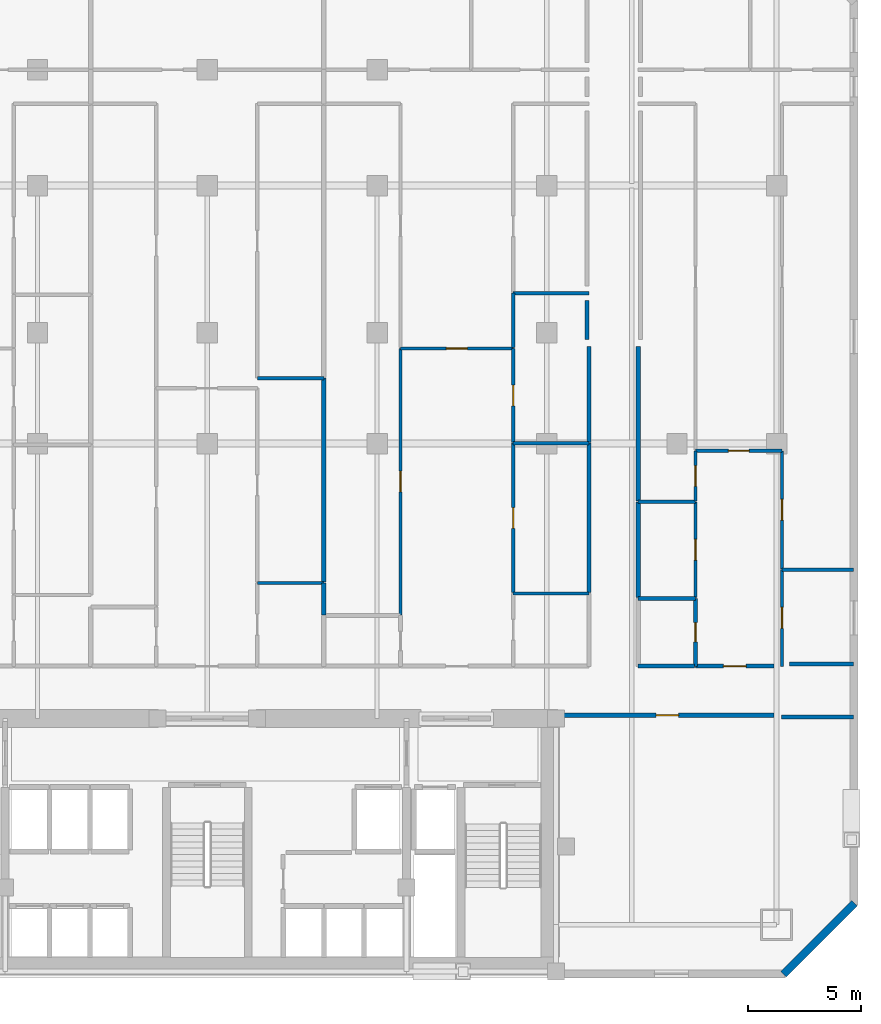
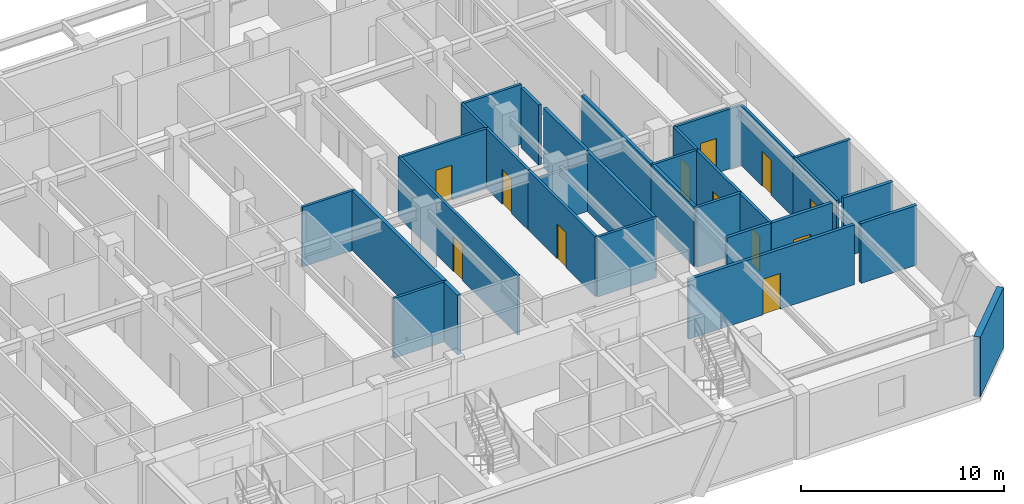
# One storey, part 6 of 10: 32 walls, 12 doors, 12 openings.
"""IFC4 building model written with IfcOpenShell, lengths in metres."""

from ifc_helpers import new_model, si_unit, direction, frame, frame_2d, origin, place, context, subcontext, project, spatial, rectangle, extrude, material, layer, layer_set, type_object, element, fill, save


model = new_model("IFC4")

# Units and contexts
model_context = context("Model", 3, precision=1e-05, world=origin(), true_north=direction((0.0, 1.0)))
body_context = subcontext(model_context, "Body", "Model", "MODEL_VIEW")
ifc_project = project(units=[si_unit("LENGTHUNIT", "METRE"), si_unit("AREAUNIT", "SQUARE_METRE"), si_unit("VOLUMEUNIT", "CUBIC_METRE"), si_unit("PLANEANGLEUNIT", "RADIAN"), si_unit("MASSUNIT", "GRAM", prefix="KILO")], contexts=[model_context])

# Site, building, storey
site_placement = place(None, origin())
site = spatial("IfcSite", under=ifc_project, at=site_placement, CompositionType="ELEMENT")
building_placement = place(site_placement, origin())
building = spatial("IfcBuilding", under=site, at=building_placement, Name="Ventersveld Concourse Tower", CompositionType="ELEMENT")
storey_placement = place(building_placement, frame((0.0, 0.0, 49.050048828125)))
storey = spatial("IfcBuildingStorey", under=building, at=storey_placement, Name="L11", CompositionType="ELEMENT", Elevation=49.050048828125)

# Wall, opening, door
ifc_material_1 = material(Name="Fire-rated autoclaved aerated masonry blockwork", Category="masonry")
ifc_layer_1 = layer(ifc_material_1, 0.179931640625)
ifc_layer_set_1 = layer_set([ifc_layer_1], Name="Fire-rated autoclaved aerated masonry blockwork")
wall_type_1 = type_object("IfcWallType", Name="WL-CORR-180", PredefinedType="PARTITIONING", material=ifc_layer_set_1)
wall_1_placement = place(storey_placement, frame((44.35498046875, 11.60009765625, 0.0), z_axis=(0.0, 0.0, 1.0), x_axis=(1.0, 0.0, 0.0)))
wall_1 = element("IfcWall", 1, at=wall_1_placement, inside=storey, type_object=wall_type_1, Name="L11 Interior Partition SP-L11-SE-OFF-SP-L11-COR", PredefinedType="PARTITIONING", context=body_context, shape_type="SweptSolid", body=[
    extrude(rectangle(XDim=9.43994140625, YDim=0.179931640625, at=frame_2d((4.719970703125, 0.0))), origin(), (0.0, 0.0, 1.0), 3.599853515625),
])
opening_1_placement = place(wall_1_placement, frame((4.219970703125, 0.0, 0.0)))
opening_1 = element("IfcOpeningElement", 2, at=opening_1_placement, cuts=wall_1, Name="Opening FD3", PredefinedType="OPENING", context=body_context, shape_type="SweptSolid", body=[
    extrude(rectangle(XDim=1.0, YDim=2.14990234375, at=frame_2d((0.5, 1.074951171875))), frame((0.0, 0.10009765625, 0.0), z_axis=(0.0, -1.0, 0.0), x_axis=(1.0, 0.0, 0.0)), (0.0, 0.0, 1.0), 0.199951171875),
])
ifc_material_2 = material(Name="Solid-core hardwood veneer timber", Category="wood")
door_type_1 = type_object("IfcDoorType", Name="DR-FLAT-100", OperationType="NOTDEFINED", PredefinedType="DOOR", material=ifc_material_2)
door_1_placement = place(opening_1_placement, origin())
door_1 = element("IfcDoor", 3, at=door_1_placement, inside=storey, type_object=door_type_1, Name="L11 Interior Door SP-L11-SE-OFF to SP-L11-COR (D-L11-0421)", OperationType="SINGLE_SWING_LEFT", OverallHeight=2.14990234375, OverallWidth=1.0, PredefinedType="DOOR", context=body_context, shape_type="SweptSolid", body=[
    extrude(rectangle(XDim=1.0, YDim=2.14990234375, at=frame_2d((0.5, 1.074951171875))), frame((0.0, 0.02490234375, 0.0), z_axis=(0.0, -1.0, 0.0), x_axis=(1.0, 0.0, 0.0)), (0.0, 0.0, 1.0), 0.050048828125),
])
fill(opening_1, door_1)

wall_2_placement = place(storey_placement, frame((50.31396484375, 13.77001953125, 0.0), z_axis=(0.0, 0.0, 1.0), x_axis=(1.0, 0.0, 0.0)))
wall_2 = element("IfcWall", 4, at=wall_2_placement, inside=storey, type_object=wall_type_1, Name="L11 Interior Partition SP-L11-COR-SP-L11-11NE-FOY", PredefinedType="PARTITIONING", context=body_context, shape_type="SweptSolid", body=[
    extrude(rectangle(XDim=3.48095703125, YDim=0.179931640625, at=frame_2d((1.740478515625, 0.0))), origin(), (0.0, 0.0, 1.0), 3.599853515625),
])
opening_2_placement = place(wall_2_placement, frame((1.240478515625, 0.0, 0.0)))
opening_2 = element("IfcOpeningElement", 5, at=opening_2_placement, cuts=wall_2, Name="Opening FD3", PredefinedType="OPENING", context=body_context, shape_type="SweptSolid", body=[
    extrude(rectangle(XDim=1.0, YDim=2.14990234375, at=frame_2d((0.5, 1.074951171875))), frame((0.0, 0.10009765625, 0.0), z_axis=(0.0, -1.0, 0.0), x_axis=(1.0, 0.0, 0.0)), (0.0, 0.0, 1.0), 0.199951171875),
])
door_2_placement = place(opening_2_placement, origin())
door_2 = element("IfcDoor", 6, at=door_2_placement, inside=storey, type_object=door_type_1, Name="L11 Interior Door SP-L11-COR to SP-L11-11NE-FOY (FD-L11-0423)", OperationType="SINGLE_SWING_LEFT", OverallHeight=2.14990234375, OverallWidth=1.0, PredefinedType="DOOR", context=body_context, shape_type="SweptSolid", body=[
    extrude(rectangle(XDim=1.0, YDim=2.14990234375, at=frame_2d((0.5, 1.074951171875))), frame((0.0, 0.02490234375, 0.0), z_axis=(0.0, -1.0, 0.0), x_axis=(1.0, 0.0, 0.0)), (0.0, 0.0, 1.0), 0.050048828125),
])
fill(opening_2, door_2)

# Walls
wall_3_placement = place(storey_placement, frame((47.784912109375, 13.77001953125, 0.0), z_axis=(0.0, 0.0, 1.0), x_axis=(1.0, 0.0, 0.0)))
element("IfcWall", 7, at=wall_3_placement, inside=storey, type_object=wall_type_1, Name="L11 Interior Partition SP-L11-COR-SP-L11-11NE-BATH", PredefinedType="PARTITIONING", context=body_context, shape_type="SweptSolid", body=[
    extrude(rectangle(XDim=2.4990234375, YDim=0.179931640625, at=frame_2d((1.24951171875, 0.0))), origin(), (0.0, 0.0, 1.0), 3.599853515625),
])
wall_4_placement = place(storey_placement, frame((47.7900390625, 16.794677734375, 0.0), z_axis=(0.0, 0.0, 1.0), x_axis=(0.0, 1.0, 0.0)))
element("IfcWall", 8, at=wall_4_placement, inside=storey, type_object=wall_type_1, Name="L11 Interior Partition SP-L11-COR-SP-L11-11NE-PANL0", PredefinedType="PARTITIONING", context=body_context, shape_type="SweptSolid", body=[
    extrude(rectangle(XDim=4.23681640625, YDim=0.179931640625, at=frame_2d((2.118408203125, 0.0))), origin(), (0.0, 0.0, 1.0), 3.599853515625),
])
wall_5_placement = place(storey_placement, frame((47.7900390625, 21.0615234375, 0.0), z_axis=(0.0, 0.0, 1.0), x_axis=(0.0, 1.0, 0.0)))
element("IfcWall", 9, at=wall_5_placement, inside=storey, type_object=wall_type_1, Name="L11 Interior Partition SP-L11-COR-SP-L11-11NE-DENL", PredefinedType="PARTITIONING", context=body_context, shape_type="SweptSolid", body=[
    extrude(rectangle(XDim=6.83349609375, YDim=0.179931640625, at=frame_2d((3.416748046875, 0.0))), origin(), (0.0, 0.0, 1.0), 3.599853515625),
])
wall_6_placement = place(storey_placement, frame((45.610107421875, 17.01708984375, 0.0), z_axis=(0.0, 0.0, 1.0), x_axis=(0.0, 1.0, 0.0)))
element("IfcWall", 10, at=wall_6_placement, inside=storey, type_object=wall_type_1, Name="L11 Interior Partition SP-L11-COR-SP-L11-11CE-DENR", PredefinedType="PARTITIONING", context=body_context, shape_type="SweptSolid", body=[
    extrude(rectangle(XDim=6.60302734375, YDim=0.179931640625, at=frame_2d((3.301513671875, 0.0))), origin(), (0.0, 0.0, 1.0), 3.599853515625),
])
wall_7_placement = place(storey_placement, frame((45.610107421875, 23.650146484375, 0.0), z_axis=(0.0, 0.0, 1.0), x_axis=(0.0, 1.0, 0.0)))
element("IfcWall", 11, at=wall_7_placement, inside=storey, type_object=wall_type_1, Name="L11 Interior Partition SP-L11-COR-SP-L11-11CE-DENS", PredefinedType="PARTITIONING", context=body_context, shape_type="SweptSolid", body=[
    extrude(rectangle(XDim=4.244873046875, YDim=0.179931640625, at=frame_2d((2.12255859375, 0.0))), origin(), (0.0, 0.0, 1.0), 3.599853515625),
])
wall_8_placement = place(storey_placement, frame((54.1123046875, 11.52001953125, 0.0), z_axis=(0.0, 0.0, 1.0), x_axis=(1.0, 0.0, 0.0)))
element("IfcWall", 12, at=wall_8_placement, inside=storey, type_object=wall_type_1, Name="L11 Room Enclosure Wall SP-L11-SE-OFF", PredefinedType="PARTITIONING", context=body_context, shape_type="SweptSolid", body=[
    extrude(rectangle(XDim=3.177734375, YDim=0.179931640625, at=frame_2d((1.5888671875, 0.0))), origin(), (0.0, 0.0, 1.0), 3.599853515625),
])
wall_9_placement = place(storey_placement, frame((57.2900390625, 13.860107421875, 0.0), z_axis=(0.0, 0.0, 1.0), x_axis=(-1.0, 0.0, 0.0)))
element("IfcWall", 13, at=wall_9_placement, inside=storey, type_object=wall_type_1, Name="L11 Room Enclosure Wall SP-L11-11NE-KIT", PredefinedType="PARTITIONING", context=body_context, shape_type="SweptSolid", body=[
    extrude(rectangle(XDim=2.823974609375, YDim=0.179931640625, at=frame_2d((1.412109375, 0.0))), origin(), (0.0, 0.0, 1.0), 3.599853515625),
])
wall_10_placement = place(storey_placement, frame((45.52001953125, 29.923095703125, 0.0), z_axis=(0.0, 0.0, 1.0), x_axis=(0.0, -1.0, 0.0)))
element("IfcWall", 14, at=wall_10_placement, inside=storey, type_object=wall_type_1, Name="L11 Room Enclosure Wall SP-L11-11CE-DENS", PredefinedType="PARTITIONING", context=body_context, shape_type="SweptSolid", body=[
    extrude(rectangle(XDim=1.713134765625, YDim=0.179931640625, at=frame_2d((0.8564453125, 0.0))), origin(), (0.0, 0.0, 1.0), 3.599853515625),
])
ifc_layer_2 = layer(ifc_material_1, 0.199951171875)
ifc_layer_set_2 = layer_set([ifc_layer_2], Name="Fire-rated autoclaved aerated masonry blockwork")
wall_type_2 = type_object("IfcWallType", Name="WL-DEMISE-200", PredefinedType="PARTITIONING", material=ifc_layer_set_2)
wall_11_placement = place(storey_placement, frame((33.889892578125, 16.03857421875, 0.0), z_axis=(0.0, 0.0, 1.0), x_axis=(0.0, 1.0, 0.0)))
element("IfcWall", 15, at=wall_11_placement, inside=storey, type_object=wall_type_2, Name="L11 Interior Partition SP-L11-11CE-MEDL0-SP-L11-11CM-KIT", PredefinedType="PARTITIONING", context=body_context, shape_type="SweptSolid", body=[
    extrude(rectangle(XDim=1.409912109375, YDim=0.199951171875, at=frame_2d((0.705078125, 0.0))), origin(), (0.0, 0.0, 1.0), 3.599853515625),
])
wall_12_placement = place(storey_placement, frame((33.889892578125, 17.478515625, 0.0), z_axis=(0.0, 0.0, 1.0), x_axis=(0.0, 1.0, 0.0)))
element("IfcWall", 16, at=wall_12_placement, inside=storey, type_object=wall_type_2, Name="L11 Interior Partition SP-L11-11CE-MEDL0-SP-L11-11CM-DENR", PredefinedType="PARTITIONING", context=body_context, shape_type="SweptSolid", body=[
    extrude(rectangle(XDim=9.024169921875, YDim=0.199951171875, at=frame_2d((4.51220703125, 0.0))), origin(), (0.0, 0.0, 1.0), 3.599853515625),
])

# Wall, opening, door
ifc_material_3 = material(Name="Autoclaved aerated masonry blockwork", Category="masonry")
ifc_layer_3 = layer(ifc_material_3, 0.14990234375)
ifc_layer_set_3 = layer_set([ifc_layer_3], Name="Autoclaved aerated masonry blockwork")
wall_type_3 = type_object("IfcWallType", Name="WL-INT-150", PredefinedType="PARTITIONING", material=ifc_layer_set_3)
wall_13_placement = place(storey_placement, frame((50.31396484375, 23.2822265625, 0.0), z_axis=(0.0, 0.0, 1.0), x_axis=(1.0, 0.0, 0.0)))
wall_13 = element("IfcWall", 17, at=wall_13_placement, inside=storey, type_object=wall_type_3, Name="L11 Interior Partition SP-L11-11NE-FOY-SP-L11-11NE-LIV", PredefinedType="PARTITIONING", context=body_context, shape_type="SweptSolid", body=[
    extrude(rectangle(XDim=3.83203125, YDim=0.14990234375, at=frame_2d((1.916015625, 0.0))), origin(), (0.0, 0.0, 1.0), 3.599853515625),
])
opening_3_placement = place(wall_13_placement, frame((1.4560546875, 0.0, 0.0)))
opening_3 = element("IfcOpeningElement", 18, at=opening_3_placement, cuts=wall_13, Name="Opening ID1", PredefinedType="OPENING", context=body_context, shape_type="SweptSolid", body=[
    extrude(rectangle(XDim=0.919921875, YDim=2.10009765625, at=frame_2d((0.4599609375, 1.050048828125))), frame((0.0, 0.0849609375, 0.0), z_axis=(0.0, -1.0, 0.0), x_axis=(1.0, 0.0, 0.0)), (0.0, 0.0, 1.0), 0.169921875),
])
door_type_2 = type_object("IfcDoorType", Name="DR-ROOM-092", OperationType="NOTDEFINED", PredefinedType="DOOR", material=ifc_material_2)
door_3_placement = place(opening_3_placement, origin())
door_3 = element("IfcDoor", 19, at=door_3_placement, inside=storey, type_object=door_type_2, Name="L11 Interior Door SP-L11-11NE-FOY to SP-L11-11NE-LIV (D-L11-0437)", OperationType="SINGLE_SWING_LEFT", OverallHeight=2.10009765625, OverallWidth=0.919921875, PredefinedType="DOOR", context=body_context, shape_type="SweptSolid", body=[
    extrude(rectangle(XDim=0.919921875, YDim=2.10009765625, at=frame_2d((0.4599609375, 1.050048828125))), frame((0.0, 0.02490234375, 0.0), z_axis=(0.0, -1.0, 0.0), x_axis=(1.0, 0.0, 0.0)), (0.0, 0.0, 1.0), 0.050048828125),
])
fill(opening_3, door_3)

wall_14_placement = place(storey_placement, frame((50.319091796875, 16.794677734375, 0.0), z_axis=(0.0, 0.0, 1.0), x_axis=(0.0, 1.0, 0.0)))
wall_14 = element("IfcWall", 20, at=wall_14_placement, inside=storey, type_object=wall_type_3, Name="L11 Interior Partition SP-L11-11NE-FOY-SP-L11-11NE-PANL0", PredefinedType="PARTITIONING", context=body_context, shape_type="SweptSolid", body=[
    extrude(rectangle(XDim=4.23681640625, YDim=0.14990234375, at=frame_2d((2.118408203125, 0.0))), origin(), (0.0, 0.0, 1.0), 3.599853515625),
])
opening_4_placement = place(wall_14_placement, frame((1.658447265625, 0.0, 0.0)))
opening_4 = element("IfcOpeningElement", 21, at=opening_4_placement, cuts=wall_14, Name="Opening ID1", PredefinedType="OPENING", context=body_context, shape_type="SweptSolid", body=[
    extrude(rectangle(XDim=0.919921875, YDim=2.10009765625, at=frame_2d((0.4599609375, 1.050048828125))), frame((0.0, 0.0849609375, 0.0), z_axis=(0.0, -1.0, 0.0), x_axis=(1.0, 0.0, 0.0)), (0.0, 0.0, 1.0), 0.169921875),
])
door_4_placement = place(opening_4_placement, origin())
door_4 = element("IfcDoor", 22, at=door_4_placement, inside=storey, type_object=door_type_2, Name="L11 Interior Door SP-L11-11NE-FOY to SP-L11-11NE-PANL0 (D-L11-0439)", OperationType="SINGLE_SWING_LEFT", OverallHeight=2.10009765625, OverallWidth=0.919921875, PredefinedType="DOOR", context=body_context, shape_type="SweptSolid", body=[
    extrude(rectangle(XDim=0.919921875, YDim=2.10009765625, at=frame_2d((0.4599609375, 1.050048828125))), frame((0.0, 0.02490234375, 0.0), z_axis=(0.0, -1.0, 0.0), x_axis=(1.0, 0.0, 0.0)), (0.0, 0.0, 1.0), 0.050048828125),
])
fill(opening_4, door_4)

wall_15_placement = place(storey_placement, frame((50.319091796875, 21.0615234375, 0.0), z_axis=(0.0, 0.0, 1.0), x_axis=(0.0, 1.0, 0.0)))
wall_15 = element("IfcWall", 23, at=wall_15_placement, inside=storey, type_object=wall_type_3, Name="L11 Interior Partition SP-L11-11NE-FOY-SP-L11-11NE-DENL", PredefinedType="PARTITIONING", context=body_context, shape_type="SweptSolid", body=[
    extrude(rectangle(XDim=2.2255859375, YDim=0.14990234375, at=frame_2d((1.11279296875, 0.0))), origin(), (0.0, 0.0, 1.0), 3.599853515625),
])
opening_5_placement = place(wall_15_placement, frame((0.65283203125, 0.0, 0.0)))
opening_5 = element("IfcOpeningElement", 24, at=opening_5_placement, cuts=wall_15, Name="Opening ID1", PredefinedType="OPENING", context=body_context, shape_type="SweptSolid", body=[
    extrude(rectangle(XDim=0.919921875, YDim=2.10009765625, at=frame_2d((0.4599609375, 1.050048828125))), frame((0.0, 0.0849609375, 0.0), z_axis=(0.0, -1.0, 0.0), x_axis=(1.0, 0.0, 0.0)), (0.0, 0.0, 1.0), 0.169921875),
])
door_5_placement = place(opening_5_placement, origin())
door_5 = element("IfcDoor", 25, at=door_5_placement, inside=storey, type_object=door_type_2, Name="L11 Interior Door SP-L11-11NE-FOY to SP-L11-11NE-DENL (D-L11-0440)", OperationType="SINGLE_SWING_RIGHT", OverallHeight=2.10009765625, OverallWidth=0.919921875, PredefinedType="DOOR", context=body_context, shape_type="SweptSolid", body=[
    extrude(rectangle(XDim=0.919921875, YDim=2.10009765625, at=frame_2d((0.4599609375, 1.050048828125))), frame((0.0, 0.02490234375, 0.0), z_axis=(0.0, -1.0, 0.0), x_axis=(1.0, 0.0, 0.0)), (0.0, 0.0, 1.0), 0.050048828125),
])
fill(opening_5, door_5)

wall_16_placement = place(storey_placement, frame((54.14111328125, 13.764892578125, 0.0), z_axis=(0.0, 0.0, 1.0), x_axis=(0.0, 1.0, 0.0)))
wall_16 = element("IfcWall", 26, at=wall_16_placement, inside=storey, type_object=wall_type_3, Name="L11 Interior Partition SP-L11-11NE-FOY-SP-L11-11NE-KIT", PredefinedType="PARTITIONING", context=body_context, shape_type="SweptSolid", body=[
    extrude(rectangle(XDim=4.27685546875, YDim=0.14990234375, at=frame_2d((2.138427734375, 0.0))), origin(), (0.0, 0.0, 1.0), 3.599853515625),
])
opening_6_placement = place(wall_16_placement, frame((1.678466796875, 0.0, 0.0)))
opening_6 = element("IfcOpeningElement", 27, at=opening_6_placement, cuts=wall_16, Name="Opening ID1", PredefinedType="OPENING", context=body_context, shape_type="SweptSolid", body=[
    extrude(rectangle(XDim=0.919921875, YDim=2.10009765625, at=frame_2d((0.4599609375, 1.050048828125))), frame((0.0, 0.0849609375, 0.0), z_axis=(0.0, -1.0, 0.0), x_axis=(1.0, 0.0, 0.0)), (0.0, 0.0, 1.0), 0.169921875),
])
door_6_placement = place(opening_6_placement, origin())
door_6 = element("IfcDoor", 28, at=door_6_placement, inside=storey, type_object=door_type_2, Name="L11 Interior Door SP-L11-11NE-FOY to SP-L11-11NE-KIT (D-L11-0441)", OperationType="SINGLE_SWING_LEFT", OverallHeight=2.10009765625, OverallWidth=0.919921875, PredefinedType="DOOR", context=body_context, shape_type="SweptSolid", body=[
    extrude(rectangle(XDim=0.919921875, YDim=2.10009765625, at=frame_2d((0.4599609375, 1.050048828125))), frame((0.0, 0.02490234375, 0.0), z_axis=(0.0, -1.0, 0.0), x_axis=(1.0, 0.0, 0.0)), (0.0, 0.0, 1.0), 0.050048828125),
])
fill(opening_6, door_6)

wall_17_placement = place(storey_placement, frame((54.14111328125, 18.07177734375, 0.0), z_axis=(0.0, 0.0, 1.0), x_axis=(0.0, 1.0, 0.0)))
wall_17 = element("IfcWall", 29, at=wall_17_placement, inside=storey, type_object=wall_type_3, Name="L11 Interior Partition SP-L11-11NE-FOY-SP-L11-11NE-DENR", PredefinedType="PARTITIONING", context=body_context, shape_type="SweptSolid", body=[
    extrude(rectangle(XDim=5.21533203125, YDim=0.14990234375, at=frame_2d((2.607666015625, 0.0))), origin(), (0.0, 0.0, 1.0), 3.599853515625),
])
opening_7_placement = place(wall_17_placement, frame((2.147705078125, 0.0, 0.0)))
opening_7 = element("IfcOpeningElement", 30, at=opening_7_placement, cuts=wall_17, Name="Opening ID1", PredefinedType="OPENING", context=body_context, shape_type="SweptSolid", body=[
    extrude(rectangle(XDim=0.919921875, YDim=2.10009765625, at=frame_2d((0.4599609375, 1.050048828125))), frame((0.0, 0.0849609375, 0.0), z_axis=(0.0, -1.0, 0.0), x_axis=(1.0, 0.0, 0.0)), (0.0, 0.0, 1.0), 0.169921875),
])
door_7_placement = place(opening_7_placement, origin())
door_7 = element("IfcDoor", 31, at=door_7_placement, inside=storey, type_object=door_type_2, Name="L11 Interior Door SP-L11-11NE-FOY to SP-L11-11NE-DENR (D-L11-0442)", OperationType="SINGLE_SWING_RIGHT", OverallHeight=2.10009765625, OverallWidth=0.919921875, PredefinedType="DOOR", context=body_context, shape_type="SweptSolid", body=[
    extrude(rectangle(XDim=0.919921875, YDim=2.10009765625, at=frame_2d((0.4599609375, 1.050048828125))), frame((0.0, 0.02490234375, 0.0), z_axis=(0.0, -1.0, 0.0), x_axis=(1.0, 0.0, 0.0)), (0.0, 0.0, 1.0), 0.050048828125),
])
fill(opening_7, door_7)

# Walls
wall_18_placement = place(storey_placement, frame((47.784912109375, 21.026611328125, 0.0), z_axis=(0.0, 0.0, 1.0), x_axis=(1.0, 0.0, 0.0)))
element("IfcWall", 32, at=wall_18_placement, inside=storey, type_object=wall_type_3, Name="L11 Interior Partition SP-L11-11NE-PANL0-SP-L11-11NE-DENL", PredefinedType="PARTITIONING", context=body_context, shape_type="SweptSolid", body=[
    extrude(rectangle(XDim=2.5390625, YDim=0.14990234375, at=frame_2d((1.26953125, 0.0))), origin(), (0.0, 0.0, 1.0), 3.599853515625),
])
wall_19_placement = place(storey_placement, frame((54.135986328125, 18.036865234375, 0.0), z_axis=(0.0, 0.0, 1.0), x_axis=(1.0, 0.0, 0.0)))
element("IfcWall", 33, at=wall_19_placement, inside=storey, type_object=wall_type_3, Name="L11 Interior Partition SP-L11-11NE-KIT-SP-L11-11NE-DENR", PredefinedType="PARTITIONING", context=body_context, shape_type="SweptSolid", body=[
    extrude(rectangle(XDim=3.154052734375, YDim=0.14990234375, at=frame_2d((1.5771484375, 0.0))), origin(), (0.0, 0.0, 1.0), 3.599853515625),
])

# Wall, opening, door
wall_20_placement = place(storey_placement, frame((37.279052734375, 27.806884765625, 0.0), z_axis=(0.0, 0.0, 1.0), x_axis=(1.0, 0.0, 0.0)))
wall_20 = element("IfcWall", 34, at=wall_20_placement, inside=storey, type_object=wall_type_3, Name="L11 Interior Partition SP-L11-11CE-FOY-SP-L11-11CE-LIV", PredefinedType="PARTITIONING", context=body_context, shape_type="SweptSolid", body=[
    extrude(rectangle(XDim=4.989990234375, YDim=0.14990234375, at=frame_2d((2.4951171875, 0.0))), origin(), (0.0, 0.0, 1.0), 3.599853515625),
])
opening_8_placement = place(wall_20_placement, frame((2.034912109375, 0.0, 0.0)))
opening_8 = element("IfcOpeningElement", 35, at=opening_8_placement, cuts=wall_20, Name="Opening ID1", PredefinedType="OPENING", context=body_context, shape_type="SweptSolid", body=[
    extrude(rectangle(XDim=0.919921875, YDim=2.10009765625, at=frame_2d((0.4599609375, 1.050048828125))), frame((0.0, 0.0849609375, 0.0), z_axis=(0.0, -1.0, 0.0), x_axis=(1.0, 0.0, 0.0)), (0.0, 0.0, 1.0), 0.169921875),
])
door_8_placement = place(opening_8_placement, origin())
door_8 = element("IfcDoor", 36, at=door_8_placement, inside=storey, type_object=door_type_2, Name="L11 Interior Door SP-L11-11CE-FOY to SP-L11-11CE-LIV (D-L11-0458)", OperationType="SINGLE_SWING_RIGHT", OverallHeight=2.10009765625, OverallWidth=0.919921875, PredefinedType="DOOR", context=body_context, shape_type="SweptSolid", body=[
    extrude(rectangle(XDim=0.919921875, YDim=2.10009765625, at=frame_2d((0.4599609375, 1.050048828125))), frame((0.0, 0.02490234375, 0.0), z_axis=(0.0, -1.0, 0.0), x_axis=(1.0, 0.0, 0.0)), (0.0, 0.0, 1.0), 0.050048828125),
])
fill(opening_8, door_8)

wall_21_placement = place(storey_placement, frame((37.283935546875, 16.03857421875, 0.0), z_axis=(0.0, 0.0, 1.0), x_axis=(0.0, 1.0, 0.0)))
wall_21 = element("IfcWall", 37, at=wall_21_placement, inside=storey, type_object=wall_type_3, Name="L11 Interior Partition SP-L11-11CE-FOY-SP-L11-11CE-MEDL0", PredefinedType="PARTITIONING", context=body_context, shape_type="SweptSolid", body=[
    extrude(rectangle(XDim=11.773193359375, YDim=0.14990234375, at=frame_2d((5.88671875, 0.0))), origin(), (0.0, 0.0, 1.0), 3.599853515625),
])
opening_9_placement = place(wall_21_placement, frame((5.426513671875, 0.0, 0.0)))
opening_9 = element("IfcOpeningElement", 38, at=opening_9_placement, cuts=wall_21, Name="Opening ID1", PredefinedType="OPENING", context=body_context, shape_type="SweptSolid", body=[
    extrude(rectangle(XDim=0.919921875, YDim=2.10009765625, at=frame_2d((0.4599609375, 1.050048828125))), frame((0.0, 0.0849609375, 0.0), z_axis=(0.0, -1.0, 0.0), x_axis=(1.0, 0.0, 0.0)), (0.0, 0.0, 1.0), 0.169921875),
])
door_9_placement = place(opening_9_placement, origin())
door_9 = element("IfcDoor", 39, at=door_9_placement, inside=storey, type_object=door_type_2, Name="L11 Interior Door SP-L11-11CE-FOY to SP-L11-11CE-MEDL0 (D-L11-0460)", OperationType="SINGLE_SWING_RIGHT", OverallHeight=2.10009765625, OverallWidth=0.919921875, PredefinedType="DOOR", context=body_context, shape_type="SweptSolid", body=[
    extrude(rectangle(XDim=0.919921875, YDim=2.10009765625, at=frame_2d((0.4599609375, 1.050048828125))), frame((0.0, 0.02490234375, 0.0), z_axis=(0.0, -1.0, 0.0), x_axis=(1.0, 0.0, 0.0)), (0.0, 0.0, 1.0), 0.050048828125),
])
fill(opening_9, door_9)

wall_22_placement = place(storey_placement, frame((42.263916015625, 17.01708984375, 0.0), z_axis=(0.0, 0.0, 1.0), x_axis=(0.0, 1.0, 0.0)))
wall_22 = element("IfcWall", 40, at=wall_22_placement, inside=storey, type_object=wall_type_3, Name="L11 Interior Partition SP-L11-11CE-FOY-SP-L11-11CE-DENR", PredefinedType="PARTITIONING", context=body_context, shape_type="SweptSolid", body=[
    extrude(rectangle(XDim=6.60302734375, YDim=0.14990234375, at=frame_2d((3.301513671875, 0.0))), origin(), (0.0, 0.0, 1.0), 3.599853515625),
])
opening_10_placement = place(wall_22_placement, frame((2.84130859375, 0.0, 0.0)))
opening_10 = element("IfcOpeningElement", 41, at=opening_10_placement, cuts=wall_22, Name="Opening ID1", PredefinedType="OPENING", context=body_context, shape_type="SweptSolid", body=[
    extrude(rectangle(XDim=0.919921875, YDim=2.10009765625, at=frame_2d((0.4599609375, 1.050048828125))), frame((0.0, 0.0849609375, 0.0), z_axis=(0.0, -1.0, 0.0), x_axis=(1.0, 0.0, 0.0)), (0.0, 0.0, 1.0), 0.169921875),
])
door_10_placement = place(opening_10_placement, origin())
door_10 = element("IfcDoor", 42, at=door_10_placement, inside=storey, type_object=door_type_2, Name="L11 Interior Door SP-L11-11CE-FOY to SP-L11-11CE-DENR (D-L11-0462)", OperationType="SINGLE_SWING_RIGHT", OverallHeight=2.10009765625, OverallWidth=0.919921875, PredefinedType="DOOR", context=body_context, shape_type="SweptSolid", body=[
    extrude(rectangle(XDim=0.919921875, YDim=2.10009765625, at=frame_2d((0.4599609375, 1.050048828125))), frame((0.0, 0.02490234375, 0.0), z_axis=(0.0, -1.0, 0.0), x_axis=(1.0, 0.0, 0.0)), (0.0, 0.0, 1.0), 0.050048828125),
])
fill(opening_10, door_10)

wall_23_placement = place(storey_placement, frame((42.263916015625, 23.650146484375, 0.0), z_axis=(0.0, 0.0, 1.0), x_axis=(0.0, 1.0, 0.0)))
wall_23 = element("IfcWall", 43, at=wall_23_placement, inside=storey, type_object=wall_type_3, Name="L11 Interior Partition SP-L11-11CE-FOY-SP-L11-11CE-DENS", PredefinedType="PARTITIONING", context=body_context, shape_type="SweptSolid", body=[
    extrude(rectangle(XDim=4.16162109375, YDim=0.14990234375, at=frame_2d((2.080810546875, 0.0))), origin(), (0.0, 0.0, 1.0), 3.599853515625),
])
opening_11_placement = place(wall_23_placement, frame((1.620849609375, 0.0, 0.0)))
opening_11 = element("IfcOpeningElement", 44, at=opening_11_placement, cuts=wall_23, Name="Opening ID1", PredefinedType="OPENING", context=body_context, shape_type="SweptSolid", body=[
    extrude(rectangle(XDim=0.919921875, YDim=2.10009765625, at=frame_2d((0.4599609375, 1.050048828125))), frame((0.0, 0.0849609375, 0.0), z_axis=(0.0, -1.0, 0.0), x_axis=(1.0, 0.0, 0.0)), (0.0, 0.0, 1.0), 0.169921875),
])
door_11_placement = place(opening_11_placement, origin())
door_11 = element("IfcDoor", 45, at=door_11_placement, inside=storey, type_object=door_type_2, Name="L11 Interior Door SP-L11-11CE-FOY to SP-L11-11CE-DENS (D-L11-0463)", OperationType="SINGLE_SWING_LEFT", OverallHeight=2.10009765625, OverallWidth=0.919921875, PredefinedType="DOOR", context=body_context, shape_type="SweptSolid", body=[
    extrude(rectangle(XDim=0.919921875, YDim=2.10009765625, at=frame_2d((0.4599609375, 1.050048828125))), frame((0.0, 0.02490234375, 0.0), z_axis=(0.0, -1.0, 0.0), x_axis=(1.0, 0.0, 0.0)), (0.0, 0.0, 1.0), 0.050048828125),
])
fill(opening_11, door_11)

# Walls
wall_24_placement = place(storey_placement, frame((42.263916015625, 27.841796875, 0.0), z_axis=(0.0, 0.0, 1.0), x_axis=(0.0, 1.0, 0.0)))
element("IfcWall", 46, at=wall_24_placement, inside=storey, type_object=wall_type_3, Name="L11 Interior Partition SP-L11-11CE-LIV-SP-L11-11CE-DENS", PredefinedType="PARTITIONING", context=body_context, shape_type="SweptSolid", body=[
    extrude(rectangle(XDim=2.4111328125, YDim=0.14990234375, at=frame_2d((1.20556640625, 0.0))), origin(), (0.0, 0.0, 1.0), 3.599853515625),
])
wall_25_placement = place(storey_placement, frame((42.259033203125, 16.982177734375, 0.0), z_axis=(0.0, 0.0, 1.0), x_axis=(1.0, 0.0, 0.0)))
element("IfcWall", 47, at=wall_25_placement, inside=storey, type_object=wall_type_3, Name="L11 Interior Partition SP-L11-11CE-KIT-SP-L11-11CE-DENR", PredefinedType="PARTITIONING", context=body_context, shape_type="SweptSolid", body=[
    extrude(rectangle(XDim=3.35595703125, YDim=0.14990234375, at=frame_2d((1.677978515625, 0.0))), origin(), (0.0, 0.0, 1.0), 3.599853515625),
])
wall_26_placement = place(storey_placement, frame((42.259033203125, 23.614990234375, 0.0), z_axis=(0.0, 0.0, 1.0), x_axis=(1.0, 0.0, 0.0)))
element("IfcWall", 48, at=wall_26_placement, inside=storey, type_object=wall_type_3, Name="L11 Interior Partition SP-L11-11CE-DENR-SP-L11-11CE-DENS", PredefinedType="PARTITIONING", context=body_context, shape_type="SweptSolid", body=[
    extrude(rectangle(XDim=3.35595703125, YDim=0.14990234375, at=frame_2d((1.677978515625, 0.0))), origin(), (0.0, 0.0, 1.0), 2.964111328125),
])
wall_27_placement = place(storey_placement, frame((42.259033203125, 30.248046875, 0.0), z_axis=(0.0, 0.0, 1.0), x_axis=(1.0, 0.0, 0.0)))
element("IfcWall", 49, at=wall_27_placement, inside=storey, type_object=wall_type_3, Name="L11 Interior Partition SP-L11-11CE-DENS-SP-L11-11CE-DENS2", PredefinedType="PARTITIONING", context=body_context, shape_type="SweptSolid", body=[
    extrude(rectangle(XDim=3.35595703125, YDim=0.14990234375, at=frame_2d((1.677978515625, 0.0))), origin(), (0.0, 0.0, 1.0), 3.599853515625),
])
for number, where, z_axis, x_axis, name in (
    (50, (30.95703125, 17.443359375, 0.0), (0.0, 0.0, 1.0), (1.0, 0.0, 0.0), "L11 Interior Partition SP-L11-11CM-KIT-SP-L11-11CM-DENR"),
    (51, (30.95703125, 26.49755859375, 0.0), (0.0, 0.0, 1.0), (1.0, 0.0, 0.0), "L11 Interior Partition SP-L11-11CM-DENR-SP-L11-11CM-DENS"),
):
    element("IfcWall", number, at=place(storey_placement, frame(where, z_axis=z_axis, x_axis=x_axis)), inside=storey, type_object=wall_type_3, Name=name, PredefinedType="PARTITIONING", context=body_context, shape_type="SweptSolid", body=[
        extrude(rectangle(XDim=2.93798828125, YDim=0.14990234375, at=frame_2d((1.468994140625, 0.0))), origin(), (0.0, 0.0, 1.0), 3.599853515625),
    ])
ifc_material_4 = material(Name="Precast concrete C45/55", Category="concrete")
ifc_layer_4 = layer(ifc_material_4, 0.35009765625)
ifc_layer_set_4 = layer_set([ifc_layer_4], Name="Precast concrete C45/55")
wall_type_4 = type_object("IfcWallType", Name="WL-PREC-350", PredefinedType="SOLIDWALL", material=ifc_layer_set_4)
wall_28_placement = place(storey_placement, frame((54.20458984375, 0.152099609375, 0.0), z_axis=(0.0, 0.0, 1.0), x_axis=(0.707106781187, 0.707106781187, 0.0)))
element("IfcWall", 52, at=wall_28_placement, inside=storey, type_object=wall_type_4, Name="L11 Highveld Precast Facade Wall E02", PredefinedType="SOLIDWALL", context=body_context, shape_type="SweptSolid", body=[
    extrude(rectangle(XDim=4.4453125, YDim=0.35009765625, at=frame_2d((2.22265625, 0.0))), origin(), (0.0, 0.0, 1.0), 3.599853515625),
])

# Wall, opening, door
ifc_layer_5 = layer(ifc_material_3, 0.1650390625)
ifc_layer_set_5 = layer_set([ifc_layer_5], Name="Autoclaved aerated masonry blockwork")
wall_type_5 = type_object("IfcWallType", Name="WL-WET-165", PredefinedType="PLUMBINGWALL", material=ifc_layer_set_5)
wall_29_placement = place(storey_placement, frame((50.319091796875, 13.764892578125, 0.0), z_axis=(0.0, 0.0, 1.0), x_axis=(0.0, 1.0, 0.0)))
wall_29 = element("IfcWall", 53, at=wall_29_placement, inside=storey, type_object=wall_type_5, Name="L11 Interior Partition SP-L11-11NE-FOY-SP-L11-11NE-BATH", PredefinedType="PLUMBINGWALL", context=body_context, shape_type="SweptSolid", body=[
    extrude(rectangle(XDim=2.999755859375, YDim=0.1650390625, at=frame_2d((1.5, 0.0))), origin(), (0.0, 0.0, 1.0), 3.599853515625),
])
opening_12_placement = place(wall_29_placement, frame((1.074951171875, 0.0, 0.0)))
opening_12 = element("IfcOpeningElement", 54, at=opening_12_placement, cuts=wall_29, Name="Opening ID2", PredefinedType="OPENING", context=body_context, shape_type="SweptSolid", body=[
    extrude(rectangle(XDim=0.85009765625, YDim=2.10009765625, at=frame_2d((0.425048828125, 1.050048828125))), frame((0.0, 0.092529296875, 0.0), z_axis=(0.0, -1.0, 0.0), x_axis=(1.0, 0.0, 0.0)), (0.0, 0.0, 1.0), 0.18505859375),
])
door_type_3 = type_object("IfcDoorType", Name="DR-BATH-085", OperationType="NOTDEFINED", PredefinedType="DOOR", material=ifc_material_2)
door_12_placement = place(opening_12_placement, origin())
door_12 = element("IfcDoor", 55, at=door_12_placement, inside=storey, type_object=door_type_3, Name="L11 Interior Door SP-L11-11NE-FOY to SP-L11-11NE-BATH (D-L11-0438)", OperationType="SINGLE_SWING_RIGHT", OverallHeight=2.10009765625, OverallWidth=0.85009765625, PredefinedType="DOOR", context=body_context, shape_type="SweptSolid", body=[
    extrude(rectangle(XDim=0.85009765625, YDim=2.10009765625, at=frame_2d((0.425048828125, 1.050048828125))), frame((0.0, 0.02490234375, 0.0), z_axis=(0.0, -1.0, 0.0), x_axis=(1.0, 0.0, 0.0)), (0.0, 0.0, 1.0), 0.050048828125),
])
fill(opening_12, door_12)

# Wall
wall_30_placement = place(storey_placement, frame((47.784912109375, 16.759765625, 0.0), z_axis=(0.0, 0.0, 1.0), x_axis=(1.0, 0.0, 0.0)))
element("IfcWall", 56, at=wall_30_placement, inside=storey, type_object=wall_type_5, Name="L11 Interior Partition SP-L11-11NE-BATH-SP-L11-11NE-PANL0", PredefinedType="PLUMBINGWALL", context=body_context, shape_type="SweptSolid", body=[
    extrude(rectangle(XDim=2.5390625, YDim=0.1650390625, at=frame_2d((1.26953125, 0.0))), origin(), (0.0, 0.0, 1.0), 3.599853515625),
])

save(model, "model.ifc")
